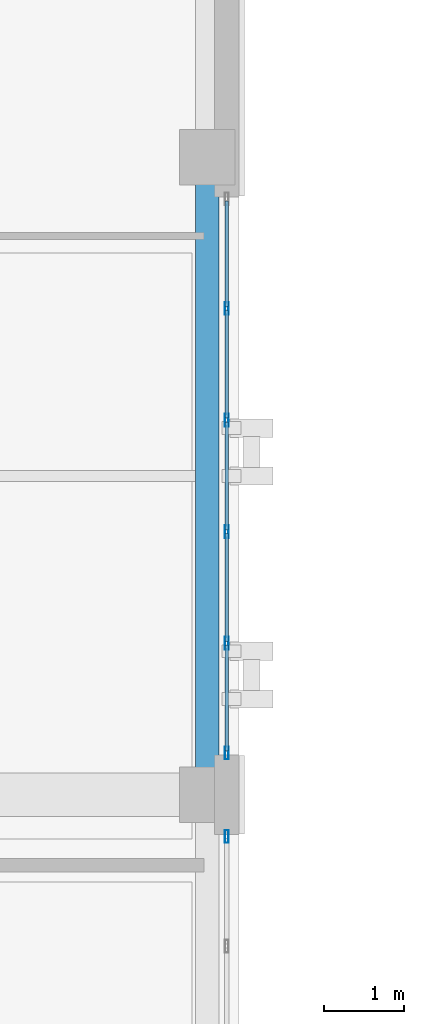
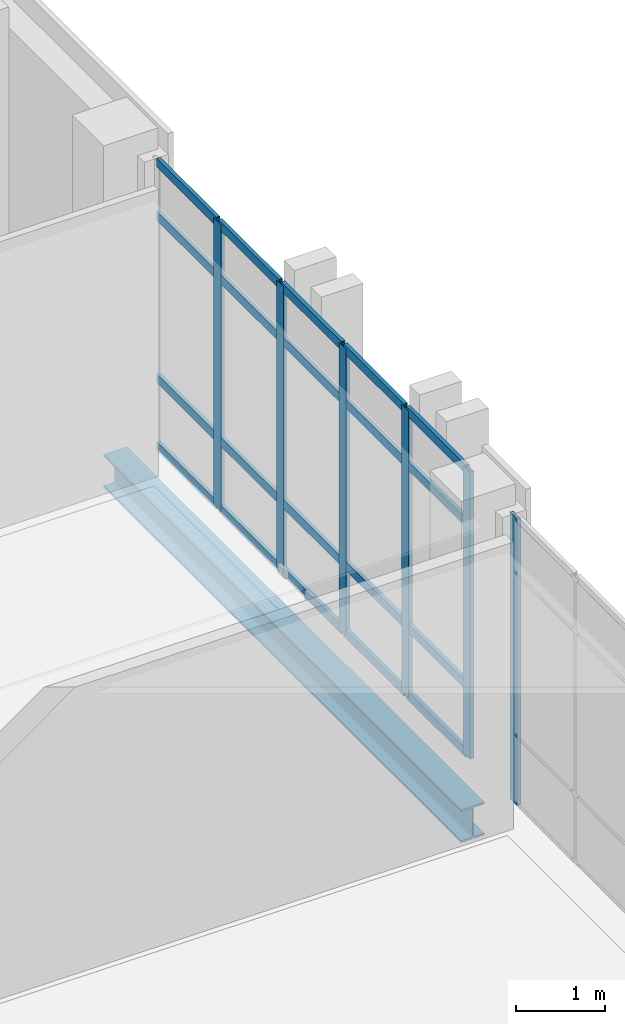
# One storey, part 68 of 193: 26 members, 1 beam, 2 elements without a shape of their own.
"""IFC4 building model written with IfcOpenShell, lengths in metres."""

from ifc_helpers import new_model, si_unit, direction, frame, origin, origin_2d, place, context, subcontext, project, spatial, hollow_rectangle, i_section, extrude, material, layer, layer_set, material_profile, profile_set, type_object, element, aggregate, save


model = new_model("IFC4")

# Units and contexts
model_context = context("Model", 3, precision=1e-05, world=origin(), true_north=direction((0.0, 1.0)))
body_context = subcontext(model_context, "Body", "Model", "MODEL_VIEW")
ifc_project = project(units=[si_unit("LENGTHUNIT", "METRE"), si_unit("AREAUNIT", "SQUARE_METRE"), si_unit("VOLUMEUNIT", "CUBIC_METRE"), si_unit("PLANEANGLEUNIT", "RADIAN"), si_unit("MASSUNIT", "GRAM", prefix="KILO")], contexts=[model_context])

# Site, building, storey
site_placement = place(None, origin())
site = spatial("IfcSite", under=ifc_project, at=site_placement, CompositionType="ELEMENT")
building_placement = place(site_placement, origin())
building = spatial("IfcBuilding", under=site, at=building_placement, Name="Qalavern Law Courts", CompositionType="ELEMENT")
storey_placement = place(building_placement, frame((0.0, 0.0, 10.199951171875)))
storey = spatial("IfcBuildingStorey", under=building, at=storey_placement, Name="L02", CompositionType="ELEMENT", Elevation=10.199951171875)

# Curtain wall, member
ifc_material_1 = material(Name="Anodised aluminium and insulated glazing", Category="aluminium")
ifc_layer = layer(ifc_material_1, 0.172119140625)
ifc_layer_set = layer_set([ifc_layer], Name="Anodised aluminium and insulated glazing")
curtain_wall_type = type_object("IfcCurtainWallType", Name="ENV-CW-COURT", PredefinedType="USERDEFINED", material=ifc_layer_set)
curtain_wall_1_placement = place(storey_placement, origin())
curtain_wall_1 = element("IfcCurtainWall", 1, at=curtain_wall_1_placement, inside=storey, type_object=curtain_wall_type, Name="V4 unitised curtain wall L02 east 2", ObjectType="UNITISED CURTAIN WALL", PredefinedType="USERDEFINED")
ifc_material_2 = material(Name="Anodised aluminium", Category="aluminium")
ifc_material_profile_1 = material_profile(ifc_material_2, hollow_rectangle(XDim=0.048095703125, YDim=0.159912109375, WallThickness=0.00390625, at=origin_2d()), Name="ALU MULLION 48x160")
ifc_profile_set_1 = profile_set([ifc_material_profile_1], Name="Anodised aluminium")
member_type_1 = type_object("IfcMemberType", Name="ENV-CWM-48x160", PredefinedType="MULLION", material=ifc_profile_set_1)
member_1_placement = place(storey_placement, frame((106.64501953125, 56.8759765625, 0.0), z_axis=(0.0, 0.0, 1.0), x_axis=(-1.0, 0.0, 0.0)))
member_1 = element("IfcMember", 2, at=member_1_placement, type_object=member_type_1, Name="CW-03 mullion 6", PredefinedType="MULLION", context=body_context, shape_type="SweptSolid", body=[
    extrude(hollow_rectangle(XDim=0.048095703125, YDim=0.159912109375, WallThickness=0.00390625, at=origin_2d()), origin(), (0.0, 0.0, 1.0), 3.9150390625),
])
aggregate(curtain_wall_1, [member_1])

# Curtain wall, members
curtain_wall_2_placement = place(storey_placement, origin())
curtain_wall_2 = element("IfcCurtainWall", 3, at=curtain_wall_2_placement, inside=storey, type_object=curtain_wall_type, Name="V4 unitised curtain wall L02 east 3", ObjectType="UNITISED CURTAIN WALL", PredefinedType="USERDEFINED")
member_2_placement = place(storey_placement, frame((106.64501953125, 57.924072265625, 0.0), z_axis=(0.0, 0.0, 1.0), x_axis=(-1.0, 0.0, 0.0)))
member_2 = element("IfcMember", 4, at=member_2_placement, type_object=member_type_1, Name="CW-03 mullion 1", PredefinedType="MULLION", context=body_context, shape_type="SweptSolid", body=[
    extrude(hollow_rectangle(XDim=0.048095703125, YDim=0.159912109375, WallThickness=0.00390625, at=origin_2d()), origin(), (0.0, 0.0, 1.0), 3.9150390625),
])
member_3_placement = place(storey_placement, frame((106.64501953125, 59.300048828125, 0.0), z_axis=(0.0, 0.0, 1.0), x_axis=(-1.0, 0.0, 0.0)))
member_3 = element("IfcMember", 5, at=member_3_placement, type_object=member_type_1, Name="CW-03 mullion 2", PredefinedType="MULLION", context=body_context, shape_type="SweptSolid", body=[
    extrude(hollow_rectangle(XDim=0.048095703125, YDim=0.159912109375, WallThickness=0.00390625, at=origin_2d()), origin(), (0.0, 0.0, 1.0), 3.9150390625),
])
member_4_placement = place(storey_placement, frame((106.64501953125, 60.699951171875, 0.0), z_axis=(0.0, 0.0, 1.0), x_axis=(-1.0, 0.0, 0.0)))
member_4 = element("IfcMember", 6, at=member_4_placement, type_object=member_type_1, Name="CW-03 mullion 3", PredefinedType="MULLION", context=body_context, shape_type="SweptSolid", body=[
    extrude(hollow_rectangle(XDim=0.048095703125, YDim=0.159912109375, WallThickness=0.00390625, at=origin_2d()), origin(), (0.0, 0.0, 1.0), 3.9150390625),
])
member_5_placement = place(storey_placement, frame((106.64501953125, 62.10009765625, 0.0), z_axis=(0.0, 0.0, 1.0), x_axis=(-1.0, 0.0, 0.0)))
member_5 = element("IfcMember", 7, at=member_5_placement, type_object=member_type_1, Name="CW-03 mullion 4", PredefinedType="MULLION", context=body_context, shape_type="SweptSolid", body=[
    extrude(hollow_rectangle(XDim=0.048095703125, YDim=0.159912109375, WallThickness=0.00390625, at=origin_2d()), origin(), (0.0, 0.0, 1.0), 3.9150390625),
])
member_6_placement = place(storey_placement, frame((106.64501953125, 63.5, 0.0), z_axis=(0.0, 0.0, 1.0), x_axis=(-1.0, 0.0, 0.0)))
member_6 = element("IfcMember", 8, at=member_6_placement, type_object=member_type_1, Name="CW-03 mullion 5", PredefinedType="MULLION", context=body_context, shape_type="SweptSolid", body=[
    extrude(hollow_rectangle(XDim=0.048095703125, YDim=0.159912109375, WallThickness=0.00390625, at=origin_2d()), origin(), (0.0, 0.0, 1.0), 3.9150390625),
])
ifc_material_profile_2 = material_profile(ifc_material_2, hollow_rectangle(XDim=0.048095703125, YDim=0.1201171875, WallThickness=0.00390625, at=origin_2d()), Name="ALU TRANSOM 48x120")
ifc_profile_set_2 = profile_set([ifc_material_profile_2], Name="Anodised aluminium")
member_type_2 = type_object("IfcMemberType", Name="ENV-CWT-48x120", PredefinedType="USERDEFINED", material=ifc_profile_set_2)
member_7_placement = place(storey_placement, frame((106.64501953125, 57.947998046875, 0.024169921875), z_axis=(0.0, 1.0, 0.0), x_axis=(-1.0, 0.0, 0.0)))
member_7 = element("IfcMember", 9, at=member_7_placement, type_object=member_type_2, Name="CW-03 transom 1.1", ObjectType="TRANSOM", PredefinedType="USERDEFINED", context=body_context, shape_type="SweptSolid", body=[
    extrude(hollow_rectangle(XDim=0.048095703125, YDim=0.1201171875, WallThickness=0.00390625, at=origin_2d()), origin(), (0.0, 0.0, 1.0), 1.327880859375),
])
member_8_placement = place(storey_placement, frame((106.64501953125, 57.947998046875, 0.949951171875), z_axis=(0.0, 1.0, 0.0), x_axis=(-1.0, 0.0, 0.0)))
member_8 = element("IfcMember", 10, at=member_8_placement, type_object=member_type_2, Name="CW-03 transom 1.2", ObjectType="TRANSOM", PredefinedType="USERDEFINED", context=body_context, shape_type="SweptSolid", body=[
    extrude(hollow_rectangle(XDim=0.048095703125, YDim=0.1201171875, WallThickness=0.00390625, at=origin_2d()), origin(), (0.0, 0.0, 1.0), 1.327880859375),
])
member_9_placement = place(storey_placement, frame((106.64501953125, 57.947998046875, 3.1650390625), z_axis=(0.0, 1.0, 0.0), x_axis=(-1.0, 0.0, 0.0)))
member_9 = element("IfcMember", 11, at=member_9_placement, type_object=member_type_2, Name="CW-03 transom 1.3", ObjectType="TRANSOM", PredefinedType="USERDEFINED", context=body_context, shape_type="SweptSolid", body=[
    extrude(hollow_rectangle(XDim=0.048095703125, YDim=0.1201171875, WallThickness=0.00390625, at=origin_2d()), origin(), (0.0, 0.0, 1.0), 1.327880859375),
])
member_10_placement = place(storey_placement, frame((106.64501953125, 57.947998046875, 3.89111328125), z_axis=(0.0, 1.0, 0.0), x_axis=(-1.0, 0.0, 0.0)))
member_10 = element("IfcMember", 12, at=member_10_placement, type_object=member_type_2, Name="CW-03 transom 1.4", ObjectType="TRANSOM", PredefinedType="USERDEFINED", context=body_context, shape_type="SweptSolid", body=[
    extrude(hollow_rectangle(XDim=0.048095703125, YDim=0.1201171875, WallThickness=0.00390625, at=origin_2d()), origin(), (0.0, 0.0, 1.0), 1.327880859375),
])
member_11_placement = place(storey_placement, frame((106.64501953125, 59.323974609375, 0.024169921875), z_axis=(0.0, 1.0, 0.0), x_axis=(-1.0, 0.0, 0.0)))
member_11 = element("IfcMember", 13, at=member_11_placement, type_object=member_type_2, Name="CW-03 transom 2.1", ObjectType="TRANSOM", PredefinedType="USERDEFINED", context=body_context, shape_type="SweptSolid", body=[
    extrude(hollow_rectangle(XDim=0.048095703125, YDim=0.1201171875, WallThickness=0.00390625, at=origin_2d()), origin(), (0.0, 0.0, 1.0), 1.35205078125),
])
member_12_placement = place(storey_placement, frame((106.64501953125, 59.323974609375, 0.949951171875), z_axis=(0.0, 1.0, 0.0), x_axis=(-1.0, 0.0, 0.0)))
member_12 = element("IfcMember", 14, at=member_12_placement, type_object=member_type_2, Name="CW-03 transom 2.2", ObjectType="TRANSOM", PredefinedType="USERDEFINED", context=body_context, shape_type="SweptSolid", body=[
    extrude(hollow_rectangle(XDim=0.048095703125, YDim=0.1201171875, WallThickness=0.00390625, at=origin_2d()), origin(), (0.0, 0.0, 1.0), 1.35205078125),
])
member_13_placement = place(storey_placement, frame((106.64501953125, 59.323974609375, 3.1650390625), z_axis=(0.0, 1.0, 0.0), x_axis=(-1.0, 0.0, 0.0)))
member_13 = element("IfcMember", 15, at=member_13_placement, type_object=member_type_2, Name="CW-03 transom 2.3", ObjectType="TRANSOM", PredefinedType="USERDEFINED", context=body_context, shape_type="SweptSolid", body=[
    extrude(hollow_rectangle(XDim=0.048095703125, YDim=0.1201171875, WallThickness=0.00390625, at=origin_2d()), origin(), (0.0, 0.0, 1.0), 1.35205078125),
])
member_14_placement = place(storey_placement, frame((106.64501953125, 59.323974609375, 3.89111328125), z_axis=(0.0, 1.0, 0.0), x_axis=(-1.0, 0.0, 0.0)))
member_14 = element("IfcMember", 16, at=member_14_placement, type_object=member_type_2, Name="CW-03 transom 2.4", ObjectType="TRANSOM", PredefinedType="USERDEFINED", context=body_context, shape_type="SweptSolid", body=[
    extrude(hollow_rectangle(XDim=0.048095703125, YDim=0.1201171875, WallThickness=0.00390625, at=origin_2d()), origin(), (0.0, 0.0, 1.0), 1.35205078125),
])
member_15_placement = place(storey_placement, frame((106.64501953125, 60.72412109375, 0.024169921875), z_axis=(0.0, 1.0, 0.0), x_axis=(-1.0, 0.0, 0.0)))
member_15 = element("IfcMember", 17, at=member_15_placement, type_object=member_type_2, Name="CW-03 transom 3.1", ObjectType="TRANSOM", PredefinedType="USERDEFINED", context=body_context, shape_type="SweptSolid", body=[
    extrude(hollow_rectangle(XDim=0.048095703125, YDim=0.1201171875, WallThickness=0.00390625, at=origin_2d()), origin(), (0.0, 0.0, 1.0), 1.351806640625),
])
member_16_placement = place(storey_placement, frame((106.64501953125, 60.72412109375, 0.949951171875), z_axis=(0.0, 1.0, 0.0), x_axis=(-1.0, 0.0, 0.0)))
member_16 = element("IfcMember", 18, at=member_16_placement, type_object=member_type_2, Name="CW-03 transom 3.2", ObjectType="TRANSOM", PredefinedType="USERDEFINED", context=body_context, shape_type="SweptSolid", body=[
    extrude(hollow_rectangle(XDim=0.048095703125, YDim=0.1201171875, WallThickness=0.00390625, at=origin_2d()), origin(), (0.0, 0.0, 1.0), 1.351806640625),
])
member_17_placement = place(storey_placement, frame((106.64501953125, 60.72412109375, 3.1650390625), z_axis=(0.0, 1.0, 0.0), x_axis=(-1.0, 0.0, 0.0)))
member_17 = element("IfcMember", 19, at=member_17_placement, type_object=member_type_2, Name="CW-03 transom 3.3", ObjectType="TRANSOM", PredefinedType="USERDEFINED", context=body_context, shape_type="SweptSolid", body=[
    extrude(hollow_rectangle(XDim=0.048095703125, YDim=0.1201171875, WallThickness=0.00390625, at=origin_2d()), origin(), (0.0, 0.0, 1.0), 1.351806640625),
])
member_18_placement = place(storey_placement, frame((106.64501953125, 60.72412109375, 3.89111328125), z_axis=(0.0, 1.0, 0.0), x_axis=(-1.0, 0.0, 0.0)))
member_18 = element("IfcMember", 20, at=member_18_placement, type_object=member_type_2, Name="CW-03 transom 3.4", ObjectType="TRANSOM", PredefinedType="USERDEFINED", context=body_context, shape_type="SweptSolid", body=[
    extrude(hollow_rectangle(XDim=0.048095703125, YDim=0.1201171875, WallThickness=0.00390625, at=origin_2d()), origin(), (0.0, 0.0, 1.0), 1.351806640625),
])
member_19_placement = place(storey_placement, frame((106.64501953125, 62.1240234375, 0.024169921875), z_axis=(0.0, 1.0, 0.0), x_axis=(-1.0, 0.0, 0.0)))
member_19 = element("IfcMember", 21, at=member_19_placement, type_object=member_type_2, Name="CW-03 transom 4.1", ObjectType="TRANSOM", PredefinedType="USERDEFINED", context=body_context, shape_type="SweptSolid", body=[
    extrude(hollow_rectangle(XDim=0.048095703125, YDim=0.1201171875, WallThickness=0.00390625, at=origin_2d()), origin(), (0.0, 0.0, 1.0), 1.35205078125),
])
member_20_placement = place(storey_placement, frame((106.64501953125, 62.1240234375, 0.949951171875), z_axis=(0.0, 1.0, 0.0), x_axis=(-1.0, 0.0, 0.0)))
member_20 = element("IfcMember", 22, at=member_20_placement, type_object=member_type_2, Name="CW-03 transom 4.2", ObjectType="TRANSOM", PredefinedType="USERDEFINED", context=body_context, shape_type="SweptSolid", body=[
    extrude(hollow_rectangle(XDim=0.048095703125, YDim=0.1201171875, WallThickness=0.00390625, at=origin_2d()), origin(), (0.0, 0.0, 1.0), 1.35205078125),
])
member_21_placement = place(storey_placement, frame((106.64501953125, 62.1240234375, 3.1650390625), z_axis=(0.0, 1.0, 0.0), x_axis=(-1.0, 0.0, 0.0)))
member_21 = element("IfcMember", 23, at=member_21_placement, type_object=member_type_2, Name="CW-03 transom 4.3", ObjectType="TRANSOM", PredefinedType="USERDEFINED", context=body_context, shape_type="SweptSolid", body=[
    extrude(hollow_rectangle(XDim=0.048095703125, YDim=0.1201171875, WallThickness=0.00390625, at=origin_2d()), origin(), (0.0, 0.0, 1.0), 1.35205078125),
])
member_22_placement = place(storey_placement, frame((106.64501953125, 62.1240234375, 3.89111328125), z_axis=(0.0, 1.0, 0.0), x_axis=(-1.0, 0.0, 0.0)))
member_22 = element("IfcMember", 24, at=member_22_placement, type_object=member_type_2, Name="CW-03 transom 4.4", ObjectType="TRANSOM", PredefinedType="USERDEFINED", context=body_context, shape_type="SweptSolid", body=[
    extrude(hollow_rectangle(XDim=0.048095703125, YDim=0.1201171875, WallThickness=0.00390625, at=origin_2d()), origin(), (0.0, 0.0, 1.0), 1.35205078125),
])
member_23_placement = place(storey_placement, frame((106.64501953125, 63.52392578125, 0.024169921875), z_axis=(0.0, 1.0, 0.0), x_axis=(-1.0, 0.0, 0.0)))
member_23 = element("IfcMember", 25, at=member_23_placement, type_object=member_type_2, Name="CW-03 transom 5.1", ObjectType="TRANSOM", PredefinedType="USERDEFINED", context=body_context, shape_type="SweptSolid", body=[
    extrude(hollow_rectangle(XDim=0.048095703125, YDim=0.1201171875, WallThickness=0.00390625, at=origin_2d()), origin(), (0.0, 0.0, 1.0), 1.328125),
])
member_24_placement = place(storey_placement, frame((106.64501953125, 63.52392578125, 0.949951171875), z_axis=(0.0, 1.0, 0.0), x_axis=(-1.0, 0.0, 0.0)))
member_24 = element("IfcMember", 26, at=member_24_placement, type_object=member_type_2, Name="CW-03 transom 5.2", ObjectType="TRANSOM", PredefinedType="USERDEFINED", context=body_context, shape_type="SweptSolid", body=[
    extrude(hollow_rectangle(XDim=0.048095703125, YDim=0.1201171875, WallThickness=0.00390625, at=origin_2d()), origin(), (0.0, 0.0, 1.0), 1.328125),
])
member_25_placement = place(storey_placement, frame((106.64501953125, 63.52392578125, 3.1650390625), z_axis=(0.0, 1.0, 0.0), x_axis=(-1.0, 0.0, 0.0)))
member_25 = element("IfcMember", 27, at=member_25_placement, type_object=member_type_2, Name="CW-03 transom 5.3", ObjectType="TRANSOM", PredefinedType="USERDEFINED", context=body_context, shape_type="SweptSolid", body=[
    extrude(hollow_rectangle(XDim=0.048095703125, YDim=0.1201171875, WallThickness=0.00390625, at=origin_2d()), origin(), (0.0, 0.0, 1.0), 1.328125),
])
member_26_placement = place(storey_placement, frame((106.64501953125, 63.52392578125, 3.89111328125), z_axis=(0.0, 1.0, 0.0), x_axis=(-1.0, 0.0, 0.0)))
member_26 = element("IfcMember", 28, at=member_26_placement, type_object=member_type_2, Name="CW-03 transom 5.4", ObjectType="TRANSOM", PredefinedType="USERDEFINED", context=body_context, shape_type="SweptSolid", body=[
    extrude(hollow_rectangle(XDim=0.048095703125, YDim=0.1201171875, WallThickness=0.00390625, at=origin_2d()), origin(), (0.0, 0.0, 1.0), 1.328125),
])
aggregate(curtain_wall_2, [member_2, member_3, member_4, member_5, member_6, member_7, member_8, member_9, member_10, member_11, member_12, member_13, member_14, member_15, member_16, member_17, member_18, member_19, member_20, member_21, member_22, member_23, member_24, member_25, member_26])

# Beam
ifc_material_3 = material(Name="Steel S355", Category="steel")
ifc_material_profile_3 = material_profile(ifc_material_3, i_section(OverallWidth=0.300048828125, OverallDepth=0.449951171875, WebThickness=0.013916015625, FlangeThickness=0.02587890625, FilletRadius=0.027099609375, at=origin_2d()), Name="HEB 450")
ifc_profile_set_3 = profile_set([ifc_material_profile_3], Name="Steel S355")
beam_type = type_object("IfcBeamType", Name="STR-SP-HEB450", PredefinedType="SPANDREL", material=ifc_profile_set_3)
beam_placement = place(storey_placement, frame((106.39990234375, 57.39990234375, -0.514892578125), z_axis=(0.0, 1.0, 0.0), x_axis=(-1.0, 0.0, 0.0)))
element("IfcBeam", 29, at=beam_placement, inside=storey, type_object=beam_type, Name="V4 Y-beam 3-3 L02", PredefinedType="SPANDREL", context=body_context, shape_type="SweptSolid", body=[
    extrude(i_section(OverallWidth=0.300048828125, OverallDepth=0.449951171875, WebThickness=0.013916015625, FlangeThickness=0.02587890625, FilletRadius=0.027099609375, at=origin_2d()), origin(), (0.0, 0.0, 1.0), 8.0),
])

save(model, "model.ifc")
